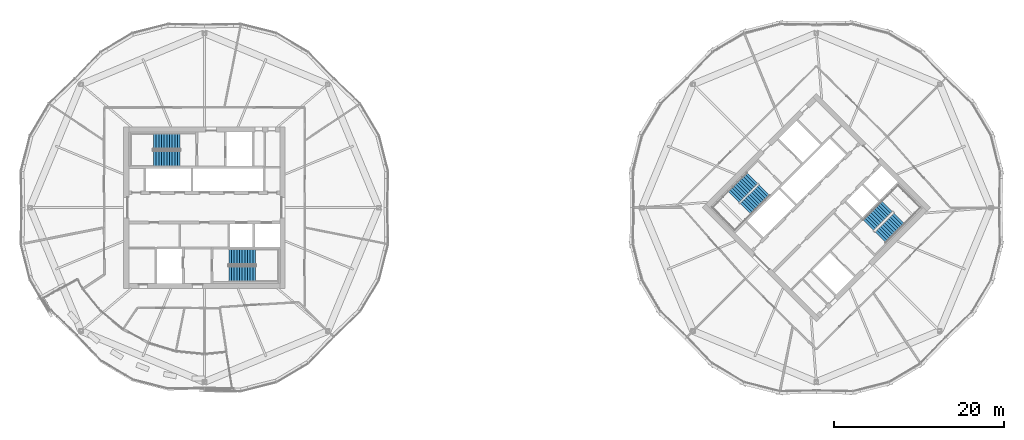
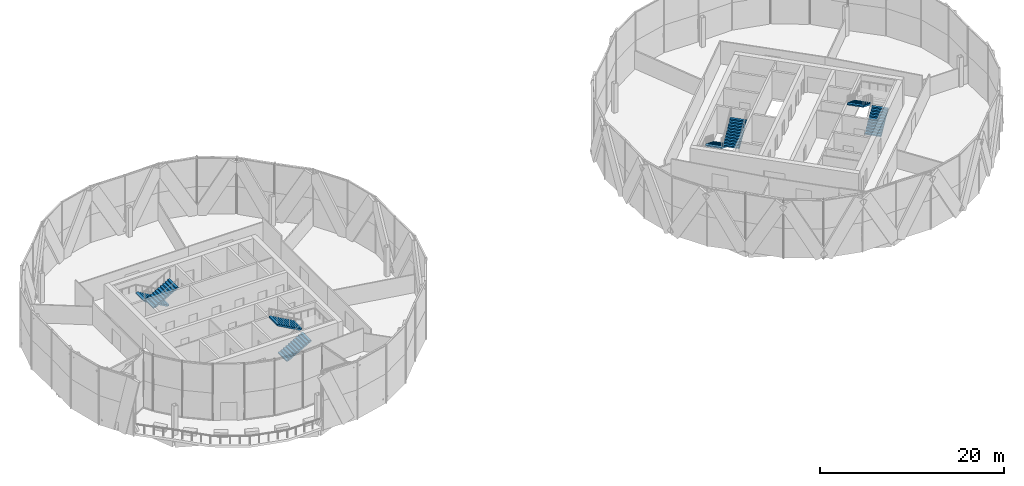
# One storey, part 23 of 27: 8 stair flights, 4 elements without a shape of their own.
"""IFC4 building model written with IfcOpenShell, lengths in metres."""

from ifc_helpers import new_model, si_unit, direction, frame, origin, place, context, subcontext, project, spatial, polyline, outline, extrude, material, type_object, element, aggregate, save


model = new_model("IFC4")

# Units and contexts
model_context = context("Model", 3, precision=1e-05, world=origin(), true_north=direction((0.0, 1.0)))
body_context = subcontext(model_context, "Body", "Model", "MODEL_VIEW")
ifc_project = project(units=[si_unit("LENGTHUNIT", "METRE"), si_unit("AREAUNIT", "SQUARE_METRE"), si_unit("VOLUMEUNIT", "CUBIC_METRE"), si_unit("PLANEANGLEUNIT", "RADIAN"), si_unit("MASSUNIT", "GRAM", prefix="KILO")], contexts=[model_context])

# Site, building, storey
site_placement = place(None, origin())
site = spatial("IfcSite", under=ifc_project, at=site_placement, CompositionType="ELEMENT")
building_placement = place(site_placement, origin())
building = spatial("IfcBuilding", under=site, at=building_placement, Name="Ogive Gate Towers", CompositionType="ELEMENT")
storey_placement = place(building_placement, frame((0.0, 0.0, 189.0)))
storey = spatial("IfcBuildingStorey", under=building, at=storey_placement, Name="L45", CompositionType="ELEMENT", Elevation=189.0)

# Stair, stair flights
ifc_material = material(Name="Concrete C40/50", Category="concrete")
stair_type = type_object("IfcStairType", Name="Escape stair 1840 wide", PredefinedType="HALF_TURN_STAIR", material=ifc_material)
stair_1_placement = place(storey_placement, origin())
stair_1 = element("IfcStair", 1, at=stair_1_placement, inside=storey, type_object=stair_type, Name="L45 Escape stair 1", PredefinedType="HALF_TURN_STAIR")
stair_flight_type = type_object("IfcStairFlightType", Name="Stair flight 1840 wide", PredefinedType="STRAIGHT", material=ifc_material)
stair_flight_1_placement = place(storey_placement, frame((-38.864990234375, 7.780029296875, 0.0), z_axis=(0.0, 0.0, 1.0), x_axis=(-1.0, 0.0, 0.0)))
stair_flight_1 = element("IfcStairFlight", 2, at=stair_flight_1_placement, type_object=stair_flight_type, Name="ST1 flight 1", NumberOfRisers=11, NumberOfTreads=10, PredefinedType="STRAIGHT", RiserHeight=0.177272727, TreadLength=0.313636364, context=body_context, shape_type="SweptSolid", body=[
    extrude(outline(polyline([(0.0, 0.0), (0.0, 0.17724609375), (0.313720703125, 0.17724609375), (0.313720703125, 0.3544921875), (0.627197265625, 0.3544921875), (0.627197265625, 0.53173828125), (0.94091796875, 0.53173828125), (0.94091796875, 0.708984375), (1.254638671875, 0.708984375), (1.254638671875, 0.886474609375), (1.568115234375, 0.886474609375), (1.568115234375, 1.063720703125), (1.8818359375, 1.063720703125), (1.8818359375, 1.240966796875), (2.195556640625, 1.240966796875), (2.195556640625, 1.418212890625), (2.509033203125, 1.418212890625), (2.509033203125, 1.595458984375), (2.82275390625, 1.595458984375), (2.82275390625, 1.772705078125), (3.136474609375, 1.772705078125), (3.136474609375, 1.949951171875), (3.136474609375, 1.6005859375), (0.3046875, 0.0), (0.0, 0.0)])), frame((0.0, 0.919921875, 0.0), z_axis=(0.0, -1.0, 0.0), x_axis=(1.0, 0.0, 0.0)), (0.0, 0.0, 1.0), 1.840087890625),
])
stair_flight_2_placement = place(storey_placement, frame((-42.00146484375, 5.794921875, 1.949951171875), z_axis=(0.0, 0.0, 1.0), x_axis=(1.0, 0.0, 0.0)))
stair_flight_2 = element("IfcStairFlight", 3, at=stair_flight_2_placement, type_object=stair_flight_type, Name="ST1 flight 2", NumberOfRisers=11, NumberOfTreads=10, PredefinedType="STRAIGHT", RiserHeight=0.177272727, TreadLength=0.313636364, context=body_context, shape_type="SweptSolid", body=[
    extrude(outline(polyline([(0.0, 0.0), (0.0, 0.17724609375), (0.313720703125, 0.17724609375), (0.313720703125, 0.3544921875), (0.627197265625, 0.3544921875), (0.627197265625, 0.53173828125), (0.94091796875, 0.53173828125), (0.94091796875, 0.708984375), (1.254638671875, 0.708984375), (1.254638671875, 0.886474609375), (1.568115234375, 0.886474609375), (1.568115234375, 1.063720703125), (1.8818359375, 1.063720703125), (1.8818359375, 1.240966796875), (2.195556640625, 1.240966796875), (2.195556640625, 1.418212890625), (2.509033203125, 1.418212890625), (2.509033203125, 1.595458984375), (2.82275390625, 1.595458984375), (2.82275390625, 1.772705078125), (3.136474609375, 1.772705078125), (3.136474609375, 1.949951171875), (3.136474609375, 1.6005859375), (0.3046875, 0.0), (0.0, 0.0)])), frame((0.0, 0.919921875, 0.0), z_axis=(0.0, -1.0, 0.0), x_axis=(1.0, 0.0, 0.0)), (0.0, 0.0, 1.0), 1.840087890625),
])
aggregate(stair_1, [stair_flight_1, stair_flight_2])

stair_2_placement = place(storey_placement, origin())
stair_2 = element("IfcStair", 4, at=stair_2_placement, inside=storey, type_object=stair_type, Name="L45 Escape stair 2", PredefinedType="HALF_TURN_STAIR")
stair_flight_3_placement = place(storey_placement, frame((-33.135009765625, -7.780029296875, 0.0), z_axis=(0.0, 0.0, 1.0), x_axis=(1.0, 0.0, 0.0)))
stair_flight_3 = element("IfcStairFlight", 5, at=stair_flight_3_placement, type_object=stair_flight_type, Name="ST2 flight 1", NumberOfRisers=11, NumberOfTreads=10, PredefinedType="STRAIGHT", RiserHeight=0.177272727, TreadLength=0.313636364, context=body_context, shape_type="SweptSolid", body=[
    extrude(outline(polyline([(0.0, 0.0), (0.0, 0.17724609375), (0.313720703125, 0.17724609375), (0.313720703125, 0.3544921875), (0.627197265625, 0.3544921875), (0.627197265625, 0.53173828125), (0.94091796875, 0.53173828125), (0.94091796875, 0.708984375), (1.254638671875, 0.708984375), (1.254638671875, 0.886474609375), (1.568115234375, 0.886474609375), (1.568115234375, 1.063720703125), (1.8818359375, 1.063720703125), (1.8818359375, 1.240966796875), (2.195556640625, 1.240966796875), (2.195556640625, 1.418212890625), (2.509033203125, 1.418212890625), (2.509033203125, 1.595458984375), (2.82275390625, 1.595458984375), (2.82275390625, 1.772705078125), (3.136474609375, 1.772705078125), (3.136474609375, 1.949951171875), (3.136474609375, 1.6005859375), (0.3046875, 0.0), (0.0, 0.0)])), frame((0.0, 0.919921875, 0.0), z_axis=(0.0, -1.0, 0.0), x_axis=(1.0, 0.0, 0.0)), (0.0, 0.0, 1.0), 1.840087890625),
])
stair_flight_4_placement = place(storey_placement, frame((-29.99853515625, -5.794921875, 1.949951171875), z_axis=(0.0, 0.0, 1.0), x_axis=(-1.0, 0.0, 0.0)))
stair_flight_4 = element("IfcStairFlight", 6, at=stair_flight_4_placement, type_object=stair_flight_type, Name="ST2 flight 2", NumberOfRisers=11, NumberOfTreads=10, PredefinedType="STRAIGHT", RiserHeight=0.177272727, TreadLength=0.313636364, context=body_context, shape_type="SweptSolid", body=[
    extrude(outline(polyline([(0.0, 0.0), (0.0, 0.17724609375), (0.313720703125, 0.17724609375), (0.313720703125, 0.3544921875), (0.627197265625, 0.3544921875), (0.627197265625, 0.53173828125), (0.94091796875, 0.53173828125), (0.94091796875, 0.708984375), (1.254638671875, 0.708984375), (1.254638671875, 0.886474609375), (1.568115234375, 0.886474609375), (1.568115234375, 1.063720703125), (1.8818359375, 1.063720703125), (1.8818359375, 1.240966796875), (2.195556640625, 1.240966796875), (2.195556640625, 1.418212890625), (2.509033203125, 1.418212890625), (2.509033203125, 1.595458984375), (2.82275390625, 1.595458984375), (2.82275390625, 1.772705078125), (3.136474609375, 1.772705078125), (3.136474609375, 1.949951171875), (3.136474609375, 1.6005859375), (0.3046875, 0.0), (0.0, 0.0)])), frame((0.0, 0.919921875, 0.0), z_axis=(0.0, -1.0, 0.0), x_axis=(1.0, 0.0, 0.0)), (0.0, 0.0, 1.0), 1.840087890625),
])
aggregate(stair_2, [stair_flight_3, stair_flight_4])

stair_3_placement = place(storey_placement, origin())
stair_3 = element("IfcStair", 7, at=stair_3_placement, inside=storey, type_object=stair_type, Name="L45 Escape stair 1", PredefinedType="HALF_TURN_STAIR")
stair_flight_5_placement = place(storey_placement, frame((28.472900390625, 3.475341796875, 0.0), z_axis=(0.0, 0.0, 1.0), x_axis=(-0.707106781187, -0.707106781187, 0.0)))
stair_flight_5 = element("IfcStairFlight", 8, at=stair_flight_5_placement, type_object=stair_flight_type, Name="ST1 flight 1", NumberOfRisers=11, NumberOfTreads=10, PredefinedType="STRAIGHT", RiserHeight=0.177272727, TreadLength=0.313636364, context=body_context, shape_type="SweptSolid", body=[
    extrude(outline(polyline([(0.0, 0.0), (0.0, 0.17724609375), (0.313720703125, 0.17724609375), (0.313720703125, 0.3544921875), (0.627197265625, 0.3544921875), (0.627197265625, 0.53173828125), (0.94091796875, 0.53173828125), (0.94091796875, 0.708984375), (1.254638671875, 0.708984375), (1.254638671875, 0.886474609375), (1.568115234375, 0.886474609375), (1.568115234375, 1.063720703125), (1.8818359375, 1.063720703125), (1.8818359375, 1.240966796875), (2.195556640625, 1.240966796875), (2.195556640625, 1.418212890625), (2.509033203125, 1.418212890625), (2.509033203125, 1.595458984375), (2.82275390625, 1.595458984375), (2.82275390625, 1.772705078125), (3.136474609375, 1.772705078125), (3.136474609375, 1.949951171875), (3.136474609375, 1.6005859375), (0.3046875, 0.0), (0.0, 0.0)])), frame((0.0, 0.919921875, 0.0), z_axis=(0.0, -1.0, 0.0), x_axis=(1.0, 0.0, 0.0)), (0.0, 0.0, 1.0), 1.840087890625),
])
stair_flight_6_placement = place(storey_placement, frame((27.65869140625, -0.14599609375, 1.949951171875), z_axis=(0.0, 0.0, 1.0), x_axis=(0.707106781187, 0.707106781187, 0.0)))
stair_flight_6 = element("IfcStairFlight", 9, at=stair_flight_6_placement, type_object=stair_flight_type, Name="ST1 flight 2", NumberOfRisers=11, NumberOfTreads=10, PredefinedType="STRAIGHT", RiserHeight=0.177272727, TreadLength=0.313636364, context=body_context, shape_type="SweptSolid", body=[
    extrude(outline(polyline([(0.0, 0.0), (0.0, 0.17724609375), (0.313720703125, 0.17724609375), (0.313720703125, 0.3544921875), (0.627197265625, 0.3544921875), (0.627197265625, 0.53173828125), (0.94091796875, 0.53173828125), (0.94091796875, 0.708984375), (1.254638671875, 0.708984375), (1.254638671875, 0.886474609375), (1.568115234375, 0.886474609375), (1.568115234375, 1.063720703125), (1.8818359375, 1.063720703125), (1.8818359375, 1.240966796875), (2.195556640625, 1.240966796875), (2.195556640625, 1.418212890625), (2.509033203125, 1.418212890625), (2.509033203125, 1.595458984375), (2.82275390625, 1.595458984375), (2.82275390625, 1.772705078125), (3.136474609375, 1.772705078125), (3.136474609375, 1.949951171875), (3.136474609375, 1.6005859375), (0.3046875, 0.0), (0.0, 0.0)])), frame((0.0, 0.919921875, 0.0), z_axis=(0.0, -1.0, 0.0), x_axis=(1.0, 0.0, 0.0)), (0.0, 0.0, 1.0), 1.840087890625),
])
aggregate(stair_3, [stair_flight_5, stair_flight_6])

stair_4_placement = place(storey_placement, origin())
stair_4 = element("IfcStair", 10, at=stair_4_placement, inside=storey, type_object=stair_type, Name="L45 Escape stair 2", PredefinedType="HALF_TURN_STAIR")
stair_flight_7_placement = place(storey_placement, frame((43.527099609375, -3.475341796875, 0.0), z_axis=(0.0, 0.0, 1.0), x_axis=(0.707106781187, 0.707106781187, 0.0)))
stair_flight_7 = element("IfcStairFlight", 11, at=stair_flight_7_placement, type_object=stair_flight_type, Name="ST2 flight 1", NumberOfRisers=11, NumberOfTreads=10, PredefinedType="STRAIGHT", RiserHeight=0.177272727, TreadLength=0.313636364, context=body_context, shape_type="SweptSolid", body=[
    extrude(outline(polyline([(0.0, 0.0), (0.0, 0.17724609375), (0.313720703125, 0.17724609375), (0.313720703125, 0.3544921875), (0.627197265625, 0.3544921875), (0.627197265625, 0.53173828125), (0.94091796875, 0.53173828125), (0.94091796875, 0.708984375), (1.254638671875, 0.708984375), (1.254638671875, 0.886474609375), (1.568115234375, 0.886474609375), (1.568115234375, 1.063720703125), (1.8818359375, 1.063720703125), (1.8818359375, 1.240966796875), (2.195556640625, 1.240966796875), (2.195556640625, 1.418212890625), (2.509033203125, 1.418212890625), (2.509033203125, 1.595458984375), (2.82275390625, 1.595458984375), (2.82275390625, 1.772705078125), (3.136474609375, 1.772705078125), (3.136474609375, 1.949951171875), (3.136474609375, 1.6005859375), (0.3046875, 0.0), (0.0, 0.0)])), frame((0.0, 0.919921875, 0.0), z_axis=(0.0, -1.0, 0.0), x_axis=(1.0, 0.0, 0.0)), (0.0, 0.0, 1.0), 1.840087890625),
])
stair_flight_8_placement = place(storey_placement, frame((44.34130859375, 0.14599609375, 1.949951171875), z_axis=(0.0, 0.0, 1.0), x_axis=(-0.707106781187, -0.707106781187, 0.0)))
stair_flight_8 = element("IfcStairFlight", 12, at=stair_flight_8_placement, type_object=stair_flight_type, Name="ST2 flight 2", NumberOfRisers=11, NumberOfTreads=10, PredefinedType="STRAIGHT", RiserHeight=0.177272727, TreadLength=0.313636364, context=body_context, shape_type="SweptSolid", body=[
    extrude(outline(polyline([(0.0, 0.0), (0.0, 0.17724609375), (0.313720703125, 0.17724609375), (0.313720703125, 0.3544921875), (0.627197265625, 0.3544921875), (0.627197265625, 0.53173828125), (0.94091796875, 0.53173828125), (0.94091796875, 0.708984375), (1.254638671875, 0.708984375), (1.254638671875, 0.886474609375), (1.568115234375, 0.886474609375), (1.568115234375, 1.063720703125), (1.8818359375, 1.063720703125), (1.8818359375, 1.240966796875), (2.195556640625, 1.240966796875), (2.195556640625, 1.418212890625), (2.509033203125, 1.418212890625), (2.509033203125, 1.595458984375), (2.82275390625, 1.595458984375), (2.82275390625, 1.772705078125), (3.136474609375, 1.772705078125), (3.136474609375, 1.949951171875), (3.136474609375, 1.6005859375), (0.3046875, 0.0), (0.0, 0.0)])), frame((0.0, 0.919921875, 0.0), z_axis=(0.0, -1.0, 0.0), x_axis=(1.0, 0.0, 0.0)), (0.0, 0.0, 1.0), 1.840087890625),
])
aggregate(stair_4, [stair_flight_7, stair_flight_8])

save(model, "model.ifc")
